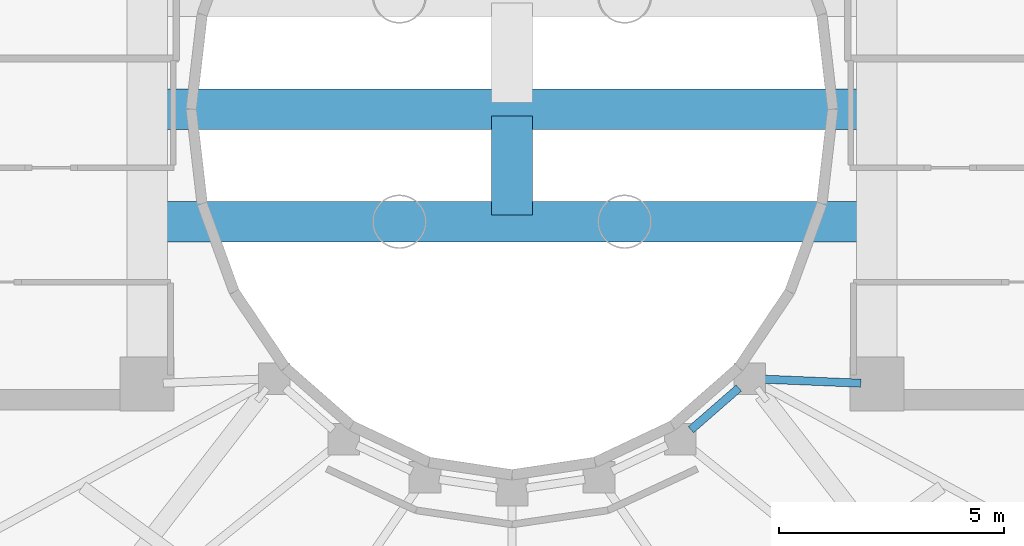
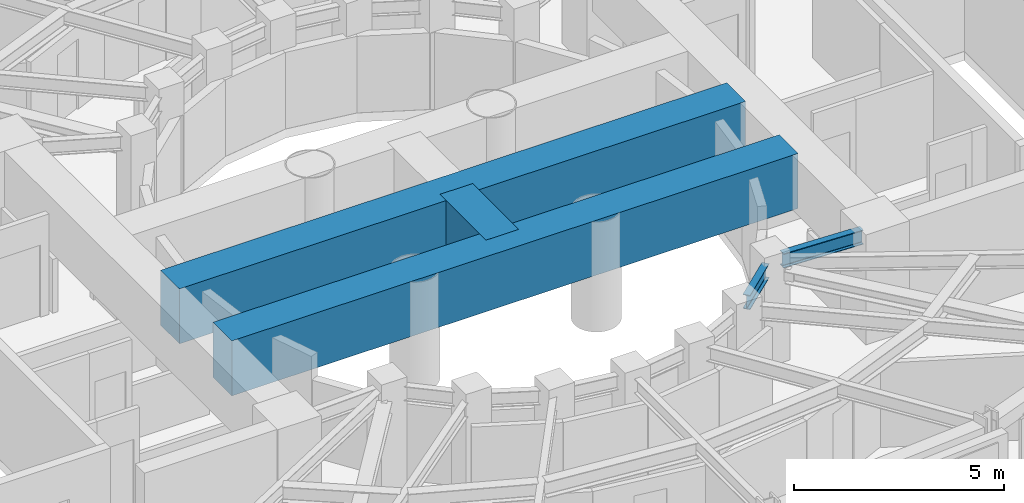
# One storey, part 7 of 17: 5 beams.
"""IFC4 building model written with IfcOpenShell, lengths in metres."""

from ifc_helpers import new_model, si_unit, direction, frame, origin, origin_2d, place, context, subcontext, project, spatial, rectangle, i_section, extrude, material, material_profile, profile_set, type_object, element, save


model = new_model("IFC4")

# Units and contexts
model_context = context("Model", 3, precision=1e-05, world=origin(), true_north=direction((0.0, 1.0)))
body_context = subcontext(model_context, "Body", "Model", "MODEL_VIEW")
ifc_project = project(units=[si_unit("LENGTHUNIT", "METRE"), si_unit("AREAUNIT", "SQUARE_METRE"), si_unit("VOLUMEUNIT", "CUBIC_METRE"), si_unit("PLANEANGLEUNIT", "RADIAN"), si_unit("MASSUNIT", "GRAM", prefix="KILO")], contexts=[model_context])

# Site, building, storey
site_placement = place(None, origin())
site = spatial("IfcSite", under=ifc_project, at=site_placement, CompositionType="ELEMENT")
building_placement = place(site_placement, origin())
building = spatial("IfcBuilding", under=site, at=building_placement, Name="Solvane Sanctuary Tower", CompositionType="ELEMENT")
storey_placement = place(building_placement, frame((0.0, 0.0, 276.39990234375)))
storey = spatial("IfcBuildingStorey", under=building, at=storey_placement, Name="L84", CompositionType="ELEMENT", Elevation=276.39990234375)

# Beams
ifc_material_1 = material(Name="Steel ASTM A992 Grade 50", Category="steel")
ifc_material_profile_1 = material_profile(ifc_material_1, i_section(OverallWidth=0.180908203125, OverallDepth=0.4169921875, WebThickness=0.010986328125, FlangeThickness=0.018310546875, FilletRadius=0.012939453125, at=origin_2d()), Name="W16X57")
ifc_profile_set_1 = profile_set([ifc_material_profile_1], Name="Steel ASTM A992 Grade 50")
beam_type_1 = type_object("IfcBeamType", Name="Beam B-ROOF-BM W16X57", PredefinedType="BEAM", material=ifc_profile_set_1)
beam_1_placement = place(storey_placement, frame((35.971435546875, 15.883544921875, 2.739501953125), z_axis=(0.754388985763, 0.656427648839, 0.0), x_axis=(-0.656427648839, 0.754388985763, 0.0)))
element("IfcBeam", 1, at=beam_1_placement, inside=storey, type_object=beam_type_1, Name="L84 Inner Light-Well Ring Beam IC13-IC14", PredefinedType="BEAM", context=body_context, shape_type="SweptSolid", body=[
    extrude(i_section(OverallWidth=0.180908203125, OverallDepth=0.4169921875, WebThickness=0.010986328125, FlangeThickness=0.018310546875, FilletRadius=0.012939453125, at=origin_2d()), origin(), (0.0, 0.0, 1.0), 1.408203125),
])
beam_2_placement = place(storey_placement, frame((37.5947265625, 17.004638671875, 2.739501953125), z_axis=(0.999129127803, -0.041725124022, 0.0), x_axis=(0.041725124022, 0.999129127803, 0.0)))
element("IfcBeam", 2, at=beam_2_placement, inside=storey, type_object=beam_type_1, Name="L84 Inner Light-Well Ring Beam IC14-CE1", PredefinedType="BEAM", context=body_context, shape_type="SweptSolid", body=[
    extrude(i_section(OverallWidth=0.180908203125, OverallDepth=0.4169921875, WebThickness=0.010986328125, FlangeThickness=0.018310546875, FilletRadius=0.012939453125, at=origin_2d()), origin(), (0.0, 0.0, 1.0), 2.1474609375),
])
ifc_material_2 = material(Name="Concrete C60/75", Category="concrete")
ifc_material_profile_2 = material_profile(ifc_material_2, rectangle(XDim=0.89990234375, YDim=1.60009765625, at=origin_2d()), Name="RC900X1600")
ifc_profile_set_2 = profile_set([ifc_material_profile_2], Name="Concrete C60/75")
beam_type_2 = type_object("IfcBeamType", Name="Beam B-XFER-SP RC900X1600", PredefinedType="BEAM", material=ifc_profile_set_2)
for number, where, z_axis, x_axis, name in (
    (3, (24.199951171875, 20.5, 2.400146484375), (1.0, 0.0, 0.0), (0.0, 1.0, 0.0), "L84 Roof Spire Tie Girder S"),
    (4, (24.199951171875, 23.0, 2.400146484375), (1.0, 0.0, 0.0), (0.0, 1.0, 0.0), "L84 Roof Spire Tie Girder C"),
):
    element("IfcBeam", number, at=place(storey_placement, frame(where, z_axis=z_axis, x_axis=x_axis)), inside=storey, type_object=beam_type_2, Name=name, PredefinedType="BEAM", context=body_context, shape_type="SweptSolid", body=[
        extrude(rectangle(XDim=0.89990234375, YDim=1.60009765625, at=origin_2d()), origin(), (0.0, 0.0, 1.0), 15.60009765625),
    ])
beam_3_placement = place(storey_placement, frame((32.0, 20.64990234375, 2.400146484375), z_axis=(0.0, 1.0, 0.0), x_axis=(-1.0, 0.0, 0.0)))
element("IfcBeam", 5, at=beam_3_placement, inside=storey, type_object=beam_type_2, Name="L84 Roof Spire South Spine Girder", PredefinedType="BEAM", context=body_context, shape_type="SweptSolid", body=[
    extrude(rectangle(XDim=0.89990234375, YDim=1.60009765625, at=origin_2d()), origin(), (0.0, 0.0, 1.0), 2.2001953125),
])

save(model, "model.ifc")
